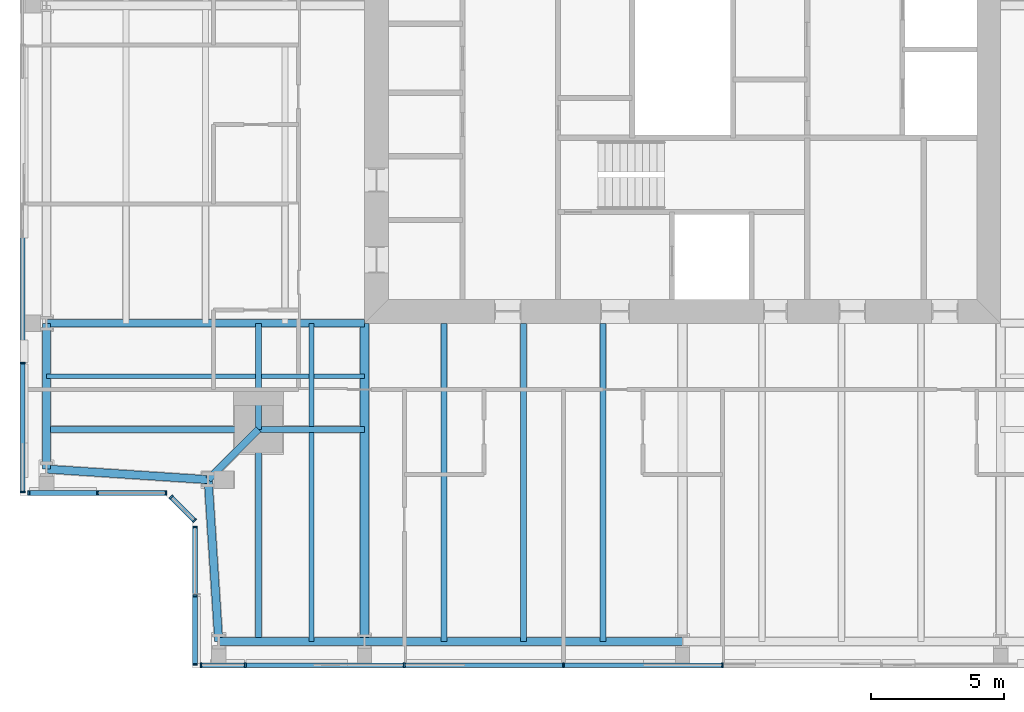
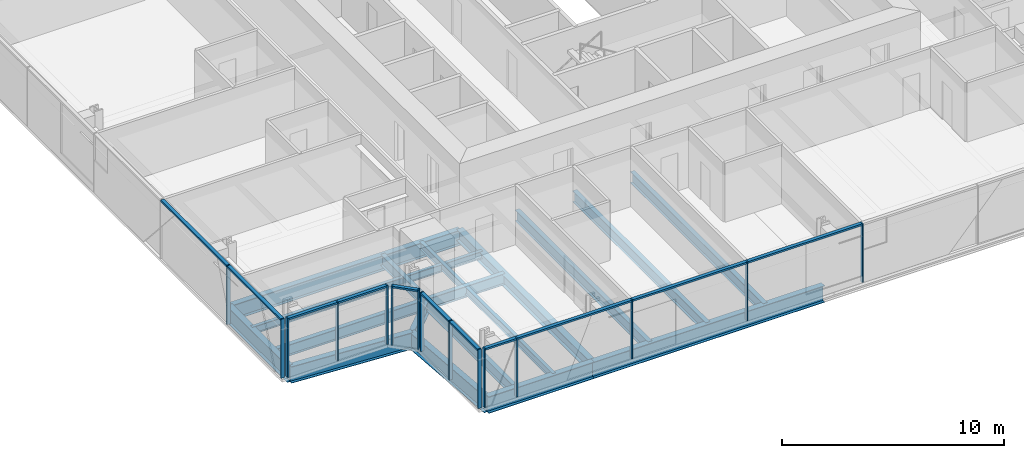
# One storey, part 2 of 20: 26 members, 20 beams, 5 elements without a shape of their own.
"""IFC4 building model written with IfcOpenShell, lengths in metres."""

from ifc_helpers import new_model, si_unit, direction, frame, origin, origin_2d, place, context, subcontext, project, spatial, rectangle, i_section, extrude, material, material_profile, profile_set, type_object, element, aggregate, save


model = new_model("IFC4")

# Units and contexts
model_context = context("Model", 3, precision=1e-05, world=origin(), true_north=direction((0.0, 1.0)))
body_context = subcontext(model_context, "Body", "Model", "MODEL_VIEW")
ifc_project = project(units=[si_unit("LENGTHUNIT", "METRE"), si_unit("AREAUNIT", "SQUARE_METRE"), si_unit("VOLUMEUNIT", "CUBIC_METRE"), si_unit("PLANEANGLEUNIT", "RADIAN"), si_unit("MASSUNIT", "GRAM", prefix="KILO")], contexts=[model_context])

# Site, building, storey
site_placement = place(None, origin())
site = spatial("IfcSite", under=ifc_project, at=site_placement, CompositionType="ELEMENT")
building_placement = place(site_placement, origin())
building = spatial("IfcBuilding", under=site, at=building_placement, Name="Fenwick Lantern Interchange", CompositionType="ELEMENT")
storey_placement = place(building_placement, frame((0.0, 0.0, 286.60009765625)))
storey = spatial("IfcBuildingStorey", under=building, at=storey_placement, Name="L69", CompositionType="ELEMENT", Elevation=286.60009765625)

# Beams
ifc_material_1 = material(Name="Steel ASTM A992 Grade 50", Category="steel")
ifc_material_profile_1 = material_profile(ifc_material_1, i_section(OverallWidth=0.3046875, OverallDepth=0.911865234375, WebThickness=0.015869140625, FlangeThickness=0.02392578125, at=origin_2d()), Name="W36X150")
ifc_profile_set_1 = profile_set([ifc_material_profile_1], Name="Steel ASTM A992 Grade 50")
beam_type_1 = type_object("IfcBeamType", Name="EDGE BEAM W36X150", PredefinedType="SPANDREL", material=ifc_profile_set_1)
beam_1_placement = place(storey_placement, frame((7.5, 1.0, -0.60595703125), z_axis=(1.0, 0.0, 0.0), x_axis=(0.0, 1.0, 0.0)))
element("IfcBeam", 1, at=beam_1_placement, inside=storey, type_object=beam_type_1, Name="L69/FR/S/EB1", PredefinedType="SPANDREL", context=body_context, shape_type="SweptSolid", body=[
    extrude(i_section(OverallWidth=0.3046875, OverallDepth=0.911865234375, WebThickness=0.015869140625, FlangeThickness=0.02392578125, at=origin_2d()), origin(), (0.0, 0.0, 1.0), 5.5),
])
beam_2_placement = place(storey_placement, frame((13.0, 1.0, -0.60595703125), z_axis=(1.0, 0.0, 0.0), x_axis=(0.0, 1.0, 0.0)))
element("IfcBeam", 2, at=beam_2_placement, inside=storey, type_object=beam_type_1, Name="L69/FR/S/EB2", PredefinedType="SPANDREL", context=body_context, shape_type="SweptSolid", body=[
    extrude(i_section(OverallWidth=0.3046875, OverallDepth=0.911865234375, WebThickness=0.015869140625, FlangeThickness=0.02392578125, at=origin_2d()), origin(), (0.0, 0.0, 1.0), 12.0),
])
beam_3_placement = place(storey_placement, frame((1.0, 13.0, -0.60595703125), z_axis=(0.0, -1.0, 0.0), x_axis=(1.0, 0.0, 0.0)))
element("IfcBeam", 3, at=beam_3_placement, inside=storey, type_object=beam_type_1, Name="L69/FR/W/EB4", PredefinedType="SPANDREL", context=body_context, shape_type="SweptSolid", body=[
    extrude(i_section(OverallWidth=0.3046875, OverallDepth=0.911865234375, WebThickness=0.015869140625, FlangeThickness=0.02392578125, at=origin_2d()), origin(), (0.0, 0.0, 1.0), 5.5),
])
for number, where, z_axis, x_axis, name in (
    (4, (1.0, 7.5, -0.60595703125), (0.997858060337, -0.065416293237, 0.0), (0.065416293237, 0.997858060337, 0.0), "L69/FR/W/EBR1"),
    (5, (7.10009765625, 7.10009765625, -0.60595703125), (0.065416293237, -0.997858060337, 0.0), (0.997858060337, 0.065416293237, 0.0), "L69/FR/W/EBR2"),
):
    element("IfcBeam", number, at=place(storey_placement, frame(where, z_axis=z_axis, x_axis=x_axis)), inside=storey, type_object=beam_type_1, Name=name, PredefinedType="SPANDREL", context=body_context, shape_type="SweptSolid", body=[
        extrude(i_section(OverallWidth=0.3046875, OverallDepth=0.911865234375, WebThickness=0.015869140625, FlangeThickness=0.02392578125, at=origin_2d()), origin(), (0.0, 0.0, 1.0), 6.11328125),
    ])
ifc_material_profile_2 = material_profile(ifc_material_1, i_section(OverallWidth=0.22900390625, OverallDepth=0.612060546875, WebThickness=0.011962890625, FlangeThickness=0.01953125, at=origin_2d()), Name="W24X84")
ifc_profile_set_2 = profile_set([ifc_material_profile_2], Name="Steel ASTM A992 Grade 50")
beam_type_2 = type_object("IfcBeamType", Name="FLOOR BEAM W24X84", PredefinedType="BEAM", material=ifc_profile_set_2)
for number, where, z_axis, x_axis, name in (
    (6, (16.0, 1.0, -0.4560546875), (0.0, 1.0, 0.0), (-1.0, 0.0, 0.0), "L69/FR/S/R02"),
    (7, (19.0, 1.0, -0.4560546875), (0.0, 1.0, 0.0), (-1.0, 0.0, 0.0), "L69/FR/S/R03"),
    (8, (22.0, 1.0, -0.4560546875), (0.0, 1.0, 0.0), (-1.0, 0.0, 0.0), "L69/FR/S/R04"),
):
    element("IfcBeam", number, at=place(storey_placement, frame(where, z_axis=z_axis, x_axis=x_axis)), inside=storey, type_object=beam_type_2, Name=name, PredefinedType="BEAM", context=body_context, shape_type="SweptSolid", body=[
        extrude(i_section(OverallWidth=0.22900390625, OverallDepth=0.612060546875, WebThickness=0.011962890625, FlangeThickness=0.01953125, at=origin_2d()), origin(), (0.0, 0.0, 1.0), 12.0),
    ])

# Curtain wall, members
ifc_material_2 = material(Name="Aluminium curtain wall frame", Category="aluminium")
curtain_wall_type = type_object("IfcCurtainWallType", Name="HOTEL CURTAIN WALL", PredefinedType="USERDEFINED", material=ifc_material_2)
curtain_wall_1_placement = place(storey_placement, origin())
curtain_wall_1 = element("IfcCurtainWall", 9, at=curtain_wall_1_placement, inside=storey, type_object=curtain_wall_type, Name="Hotel curtain wall 01", ObjectType="HOTEL CURTAIN WALL", PredefinedType="USERDEFINED")
ifc_material_3 = material(Name="Aluminium extrusion", Category="aluminium")
ifc_material_profile_3 = material_profile(ifc_material_3, rectangle(XDim=0.179931640625, YDim=0.06005859375, at=origin_2d()), Name="HOTEL CURTAIN WALL MULLION 60 X 180")
ifc_profile_set_3 = profile_set([ifc_material_profile_3], Name="Aluminium extrusion")
member_type_1 = type_object("IfcMemberType", Name="HOTEL CURTAIN WALL MULLION 60 X 180", PredefinedType="MULLION", material=ifc_profile_set_3)
member_1_placement = place(storey_placement, frame((6.830078125, 0.10009765625, 0.0), z_axis=(0.0, 0.0, 1.0), x_axis=(0.0, 1.0, 0.0)))
member_1 = element("IfcMember", 10, at=member_1_placement, type_object=member_type_1, Name="L69/CW/01/M00", PredefinedType="MULLION", context=body_context, shape_type="SweptSolid", body=[
    extrude(rectangle(XDim=0.179931640625, YDim=0.06005859375, at=origin_2d()), origin(), (0.0, 0.0, 1.0), 3.25),
])
member_2_placement = place(storey_placement, frame((8.5, 0.10009765625, 0.0), z_axis=(0.0, 0.0, 1.0), x_axis=(0.0, 1.0, 0.0)))
member_2 = element("IfcMember", 11, at=member_2_placement, type_object=member_type_1, Name="L69/CW/01/M01", PredefinedType="MULLION", context=body_context, shape_type="SweptSolid", body=[
    extrude(rectangle(XDim=0.179931640625, YDim=0.06005859375, at=origin_2d()), origin(), (0.0, 0.0, 1.0), 3.25),
])
member_3_placement = place(storey_placement, frame((14.5, 0.10009765625, 0.0), z_axis=(0.0, 0.0, 1.0), x_axis=(0.0, 1.0, 0.0)))
member_3 = element("IfcMember", 12, at=member_3_placement, type_object=member_type_1, Name="L69/CW/01/M02", PredefinedType="MULLION", context=body_context, shape_type="SweptSolid", body=[
    extrude(rectangle(XDim=0.179931640625, YDim=0.06005859375, at=origin_2d()), origin(), (0.0, 0.0, 1.0), 3.25),
])
member_4_placement = place(storey_placement, frame((20.5, 0.10009765625, 0.0), z_axis=(0.0, 0.0, 1.0), x_axis=(0.0, 1.0, 0.0)))
member_4 = element("IfcMember", 13, at=member_4_placement, type_object=member_type_1, Name="L69/CW/01/M03", PredefinedType="MULLION", context=body_context, shape_type="SweptSolid", body=[
    extrude(rectangle(XDim=0.179931640625, YDim=0.06005859375, at=origin_2d()), origin(), (0.0, 0.0, 1.0), 3.25),
])
member_5_placement = place(storey_placement, frame((26.5, 0.10009765625, 0.0), z_axis=(0.0, 0.0, 1.0), x_axis=(0.0, 1.0, 0.0)))
member_5 = element("IfcMember", 14, at=member_5_placement, type_object=member_type_1, Name="L69/CW/01/M04", PredefinedType="MULLION", context=body_context, shape_type="SweptSolid", body=[
    extrude(rectangle(XDim=0.179931640625, YDim=0.06005859375, at=origin_2d()), origin(), (0.0, 0.0, 1.0), 3.25),
])

curtain_wall_2_placement = place(storey_placement, origin())
curtain_wall_2 = element("IfcCurtainWall", 15, at=curtain_wall_2_placement, inside=storey, type_object=curtain_wall_type, Name="Hotel curtain wall 13", ObjectType="HOTEL CURTAIN WALL", PredefinedType="USERDEFINED")
member_6_placement = place(storey_placement, frame((0.10009765625, 11.5, 0.0), z_axis=(0.0, 0.0, 1.0), x_axis=(1.0, 0.0, 0.0)))
member_6 = element("IfcMember", 16, at=member_6_placement, type_object=member_type_1, Name="L69/CW/13/M06", PredefinedType="MULLION", context=body_context, shape_type="SweptSolid", body=[
    extrude(rectangle(XDim=0.179931640625, YDim=0.06005859375, at=origin_2d()), origin(), (0.0, 0.0, 1.0), 3.25),
])
member_7_placement = place(storey_placement, frame((0.10009765625, 6.6298828125, 0.0), z_axis=(0.0, 0.0, 1.0), x_axis=(1.0, 0.0, 0.0)))
member_7 = element("IfcMember", 17, at=member_7_placement, type_object=member_type_1, Name="L69/CW/13/M07", PredefinedType="MULLION", context=body_context, shape_type="SweptSolid", body=[
    extrude(rectangle(XDim=0.179931640625, YDim=0.06005859375, at=origin_2d()), origin(), (0.0, 0.0, 1.0), 3.25),
])

curtain_wall_3_placement = place(storey_placement, origin())
curtain_wall_3 = element("IfcCurtainWall", 18, at=curtain_wall_3_placement, inside=storey, type_object=curtain_wall_type, Name="Hotel curtain wall 14", ObjectType="HOTEL CURTAIN WALL", PredefinedType="USERDEFINED")
member_8_placement = place(storey_placement, frame((0.330078125, 6.60009765625, 0.0), z_axis=(0.0, 0.0, 1.0), x_axis=(0.0, 1.0, 0.0)))
member_8 = element("IfcMember", 19, at=member_8_placement, type_object=member_type_1, Name="L69/CW/14/M00", PredefinedType="MULLION", context=body_context, shape_type="SweptSolid", body=[
    extrude(rectangle(XDim=0.179931640625, YDim=0.06005859375, at=origin_2d()), origin(), (0.0, 0.0, 1.0), 3.25),
])
member_9_placement = place(storey_placement, frame((2.920654296875, 6.60009765625, 0.0), z_axis=(0.0, 0.0, 1.0), x_axis=(0.0, 1.0, 0.0)))
member_9 = element("IfcMember", 20, at=member_9_placement, type_object=member_type_1, Name="L69/CW/14/M01", PredefinedType="MULLION", context=body_context, shape_type="SweptSolid", body=[
    extrude(rectangle(XDim=0.179931640625, YDim=0.06005859375, at=origin_2d()), origin(), (0.0, 0.0, 1.0), 3.25),
])
member_10_placement = place(storey_placement, frame((5.511474609375, 6.60009765625, 0.0), z_axis=(0.0, 0.0, 1.0), x_axis=(0.0, 1.0, 0.0)))
member_10 = element("IfcMember", 21, at=member_10_placement, type_object=member_type_1, Name="L69/CW/14/M02", PredefinedType="MULLION", context=body_context, shape_type="SweptSolid", body=[
    extrude(rectangle(XDim=0.179931640625, YDim=0.06005859375, at=origin_2d()), origin(), (0.0, 0.0, 1.0), 3.25),
])

curtain_wall_4_placement = place(storey_placement, origin())
curtain_wall_4 = element("IfcCurtainWall", 22, at=curtain_wall_4_placement, inside=storey, type_object=curtain_wall_type, Name="Hotel curtain wall 15", ObjectType="HOTEL CURTAIN WALL", PredefinedType="USERDEFINED")
member_11_placement = place(storey_placement, frame((5.7041015625, 6.437255859375, 0.0), z_axis=(0.0, 0.0, 1.0), x_axis=(0.707106781187, 0.707106781187, 0.0)))
member_11 = element("IfcMember", 23, at=member_11_placement, type_object=member_type_1, Name="L69/CW/15/M00", PredefinedType="MULLION", context=body_context, shape_type="SweptSolid", body=[
    extrude(rectangle(XDim=0.179931640625, YDim=0.06005859375, at=origin_2d()), origin(), (0.0, 0.0, 1.0), 3.25),
])
member_12_placement = place(storey_placement, frame((6.578857421875, 5.562744140625, 0.0), z_axis=(0.0, 0.0, 1.0), x_axis=(0.707106781187, 0.707106781187, 0.0)))
member_12 = element("IfcMember", 24, at=member_12_placement, type_object=member_type_1, Name="L69/CW/15/M01", PredefinedType="MULLION", context=body_context, shape_type="SweptSolid", body=[
    extrude(rectangle(XDim=0.179931640625, YDim=0.06005859375, at=origin_2d()), origin(), (0.0, 0.0, 1.0), 3.25),
])

curtain_wall_5_placement = place(storey_placement, origin())
curtain_wall_5 = element("IfcCurtainWall", 25, at=curtain_wall_5_placement, inside=storey, type_object=curtain_wall_type, Name="Hotel curtain wall 16", ObjectType="HOTEL CURTAIN WALL", PredefinedType="USERDEFINED")
member_13_placement = place(storey_placement, frame((6.60009765625, 5.3115234375, 0.0), z_axis=(0.0, 0.0, 1.0), x_axis=(1.0, 0.0, 0.0)))
member_13 = element("IfcMember", 26, at=member_13_placement, type_object=member_type_1, Name="L69/CW/16/M00", PredefinedType="MULLION", context=body_context, shape_type="SweptSolid", body=[
    extrude(rectangle(XDim=0.179931640625, YDim=0.06005859375, at=origin_2d()), origin(), (0.0, 0.0, 1.0), 3.25),
])
member_14_placement = place(storey_placement, frame((6.60009765625, 2.720703125, 0.0), z_axis=(0.0, 0.0, 1.0), x_axis=(1.0, 0.0, 0.0)))
member_14 = element("IfcMember", 27, at=member_14_placement, type_object=member_type_1, Name="L69/CW/16/M01", PredefinedType="MULLION", context=body_context, shape_type="SweptSolid", body=[
    extrude(rectangle(XDim=0.179931640625, YDim=0.06005859375, at=origin_2d()), origin(), (0.0, 0.0, 1.0), 3.25),
])
member_15_placement = place(storey_placement, frame((6.60009765625, 0.1298828125, 0.0), z_axis=(0.0, 0.0, 1.0), x_axis=(1.0, 0.0, 0.0)))
member_15 = element("IfcMember", 28, at=member_15_placement, type_object=member_type_1, Name="L69/CW/16/M02", PredefinedType="MULLION", context=body_context, shape_type="SweptSolid", body=[
    extrude(rectangle(XDim=0.179931640625, YDim=0.06005859375, at=origin_2d()), origin(), (0.0, 0.0, 1.0), 3.25),
])

# Member
ifc_material_profile_4 = material_profile(ifc_material_3, rectangle(XDim=0.179931640625, YDim=0.10009765625, at=origin_2d()), Name="HOTEL CURTAIN WALL TRANSOM 100 X 180")
ifc_profile_set_4 = profile_set([ifc_material_profile_4], Name="Aluminium extrusion")
member_type_2 = type_object("IfcMemberType", Name="HOTEL CURTAIN WALL TRANSOM 100 X 180", PredefinedType="MULLION", material=ifc_profile_set_4)
member_16_placement = place(storey_placement, frame((6.860107421875, 0.10009765625, 3.199951171875), z_axis=(1.0, 0.0, 0.0), x_axis=(0.0, 1.0, 0.0)))
member_16 = element("IfcMember", 29, at=member_16_placement, type_object=member_type_2, Name="L69/CW/01/T00", PredefinedType="MULLION", context=body_context, shape_type="SweptSolid", body=[
    extrude(rectangle(XDim=0.179931640625, YDim=0.10009765625, at=origin_2d()), origin(), (0.0, 0.0, 1.0), 1.60986328125),
])

member_17_placement = place(storey_placement, frame((8.530029296875, 0.10009765625, 3.199951171875), z_axis=(1.0, 0.0, 0.0), x_axis=(0.0, 1.0, 0.0)))
member_17 = element("IfcMember", 30, at=member_17_placement, type_object=member_type_2, Name="L69/CW/01/T01", PredefinedType="MULLION", context=body_context, shape_type="SweptSolid", body=[
    extrude(rectangle(XDim=0.179931640625, YDim=0.10009765625, at=origin_2d()), origin(), (0.0, 0.0, 1.0), 5.93994140625),
])

member_18_placement = place(storey_placement, frame((14.530029296875, 0.10009765625, 3.199951171875), z_axis=(1.0, 0.0, 0.0), x_axis=(0.0, 1.0, 0.0)))
member_18 = element("IfcMember", 31, at=member_18_placement, type_object=member_type_2, Name="L69/CW/01/T02", PredefinedType="MULLION", context=body_context, shape_type="SweptSolid", body=[
    extrude(rectangle(XDim=0.179931640625, YDim=0.10009765625, at=origin_2d()), origin(), (0.0, 0.0, 1.0), 5.93994140625),
])

member_19_placement = place(storey_placement, frame((20.530029296875, 0.10009765625, 3.199951171875), z_axis=(1.0, 0.0, 0.0), x_axis=(0.0, 1.0, 0.0)))
member_19 = element("IfcMember", 32, at=member_19_placement, type_object=member_type_2, Name="L69/CW/01/T03", PredefinedType="MULLION", context=body_context, shape_type="SweptSolid", body=[
    extrude(rectangle(XDim=0.179931640625, YDim=0.10009765625, at=origin_2d()), origin(), (0.0, 0.0, 1.0), 5.93994140625),
])

aggregate(curtain_wall_1, [member_1, member_2, member_3, member_4, member_5, member_16, member_17, member_18, member_19])

member_20_placement = place(storey_placement, frame((0.10009765625, 17.469970703125, 3.199951171875), z_axis=(0.0, -1.0, 0.0), x_axis=(1.0, 0.0, 0.0)))
member_20 = element("IfcMember", 33, at=member_20_placement, type_object=member_type_2, Name="L69/CW/13/T05", PredefinedType="MULLION", context=body_context, shape_type="SweptSolid", body=[
    extrude(rectangle(XDim=0.179931640625, YDim=0.10009765625, at=origin_2d()), origin(), (0.0, 0.0, 1.0), 5.93994140625),
])

member_21_placement = place(storey_placement, frame((0.10009765625, 11.469970703125, 3.199951171875), z_axis=(0.0, -1.0, 0.0), x_axis=(1.0, 0.0, 0.0)))
member_21 = element("IfcMember", 34, at=member_21_placement, type_object=member_type_2, Name="L69/CW/13/T06", PredefinedType="MULLION", context=body_context, shape_type="SweptSolid", body=[
    extrude(rectangle(XDim=0.179931640625, YDim=0.10009765625, at=origin_2d()), origin(), (0.0, 0.0, 1.0), 4.81005859375),
])

aggregate(curtain_wall_2, [member_6, member_7, member_20, member_21])

member_22_placement = place(storey_placement, frame((0.360107421875, 6.60009765625, 3.199951171875), z_axis=(1.0, 0.0, 0.0), x_axis=(0.0, 1.0, 0.0)))
member_22 = element("IfcMember", 35, at=member_22_placement, type_object=member_type_2, Name="L69/CW/14/T00", PredefinedType="MULLION", context=body_context, shape_type="SweptSolid", body=[
    extrude(rectangle(XDim=0.179931640625, YDim=0.10009765625, at=origin_2d()), origin(), (0.0, 0.0, 1.0), 2.530517578125),
])

member_23_placement = place(storey_placement, frame((2.95068359375, 6.60009765625, 3.199951171875), z_axis=(1.0, 0.0, 0.0), x_axis=(0.0, 1.0, 0.0)))
member_23 = element("IfcMember", 36, at=member_23_placement, type_object=member_type_2, Name="L69/CW/14/T01", PredefinedType="MULLION", context=body_context, shape_type="SweptSolid", body=[
    extrude(rectangle(XDim=0.179931640625, YDim=0.10009765625, at=origin_2d()), origin(), (0.0, 0.0, 1.0), 2.53076171875),
])

aggregate(curtain_wall_3, [member_8, member_9, member_10, member_22, member_23])

member_24_placement = place(storey_placement, frame((5.725341796875, 6.416259765625, 3.199951171875), z_axis=(0.707003077033, -0.707210470133, 0.0), x_axis=(0.707210470133, 0.707003077033, 0.0)))
member_24 = element("IfcMember", 37, at=member_24_placement, type_object=member_type_2, Name="L69/CW/15/T00", PredefinedType="MULLION", context=body_context, shape_type="SweptSolid", body=[
    extrude(rectangle(XDim=0.179931640625, YDim=0.10009765625, at=origin_2d()), origin(), (0.0, 0.0, 1.0), 1.17724609375),
])

aggregate(curtain_wall_4, [member_11, member_12, member_24])

member_25_placement = place(storey_placement, frame((6.60009765625, 5.281494140625, 3.199951171875), z_axis=(0.0, -1.0, 0.0), x_axis=(1.0, 0.0, 0.0)))
member_25 = element("IfcMember", 38, at=member_25_placement, type_object=member_type_2, Name="L69/CW/16/T00", PredefinedType="MULLION", context=body_context, shape_type="SweptSolid", body=[
    extrude(rectangle(XDim=0.179931640625, YDim=0.10009765625, at=origin_2d()), origin(), (0.0, 0.0, 1.0), 2.53076171875),
])

member_26_placement = place(storey_placement, frame((6.60009765625, 2.690673828125, 3.199951171875), z_axis=(0.0, -1.0, 0.0), x_axis=(1.0, 0.0, 0.0)))
member_26 = element("IfcMember", 39, at=member_26_placement, type_object=member_type_2, Name="L69/CW/16/T01", PredefinedType="MULLION", context=body_context, shape_type="SweptSolid", body=[
    extrude(rectangle(XDim=0.179931640625, YDim=0.10009765625, at=origin_2d()), origin(), (0.0, 0.0, 1.0), 2.53076171875),
])

aggregate(curtain_wall_5, [member_13, member_14, member_15, member_25, member_26])

# Beams
ifc_material_profile_5 = material_profile(ifc_material_1, i_section(OverallWidth=0.177734375, OverallDepth=0.406494140625, WebThickness=0.0078125, FlangeThickness=0.012939453125, at=origin_2d()), Name="W16X40")
ifc_profile_set_5 = profile_set([ifc_material_profile_5], Name="Steel ASTM A992 Grade 50")
beam_type_3 = type_object("IfcBeamType", Name="INFILL BEAM W16X40", PredefinedType="JOIST", material=ifc_profile_set_5)
beam_4_placement = place(storey_placement, frame((11.0, 1.0, -0.353271484375), z_axis=(0.0, 1.0, 0.0), x_axis=(-1.0, 0.0, 0.0)))
element("IfcBeam", 40, at=beam_4_placement, inside=storey, type_object=beam_type_3, Name="L69/FR/S/J1", PredefinedType="JOIST", context=body_context, shape_type="SweptSolid", body=[
    extrude(i_section(OverallWidth=0.177734375, OverallDepth=0.406494140625, WebThickness=0.0078125, FlangeThickness=0.012939453125, at=origin_2d()), origin(), (0.0, 0.0, 1.0), 7.885498046875),
])
beam_5_placement = place(storey_placement, frame((11.0, 9.114501953125, -0.353271484375), z_axis=(0.0, 1.0, 0.0), x_axis=(-1.0, 0.0, 0.0)))
element("IfcBeam", 41, at=beam_5_placement, inside=storey, type_object=beam_type_3, Name="L69/FR/S/J2", PredefinedType="JOIST", context=body_context, shape_type="SweptSolid", body=[
    extrude(i_section(OverallWidth=0.177734375, OverallDepth=0.406494140625, WebThickness=0.0078125, FlangeThickness=0.012939453125, at=origin_2d()), origin(), (0.0, 0.0, 1.0), 3.885498046875),
])
beam_6_placement = place(storey_placement, frame((1.0, 11.0, -0.353271484375), z_axis=(1.0, 0.0, 0.0), x_axis=(0.0, 1.0, 0.0)))
element("IfcBeam", 42, at=beam_6_placement, inside=storey, type_object=beam_type_3, Name="L69/FR/S/J3", PredefinedType="JOIST", context=body_context, shape_type="SweptSolid", body=[
    extrude(i_section(OverallWidth=0.177734375, OverallDepth=0.406494140625, WebThickness=0.0078125, FlangeThickness=0.012939453125, at=origin_2d()), origin(), (0.0, 0.0, 1.0), 7.885498046875),
])
beam_7_placement = place(storey_placement, frame((9.114501953125, 11.0, -0.353271484375), z_axis=(1.0, 0.0, 0.0), x_axis=(0.0, 1.0, 0.0)))
element("IfcBeam", 43, at=beam_7_placement, inside=storey, type_object=beam_type_3, Name="L69/FR/S/J4", PredefinedType="JOIST", context=body_context, shape_type="SweptSolid", body=[
    extrude(i_section(OverallWidth=0.177734375, OverallDepth=0.406494140625, WebThickness=0.0078125, FlangeThickness=0.012939453125, at=origin_2d()), origin(), (0.0, 0.0, 1.0), 1.796630859375),
])
beam_8_placement = place(storey_placement, frame((11.0888671875, 11.0, -0.353271484375), z_axis=(1.0, 0.0, 0.0), x_axis=(0.0, 1.0, 0.0)))
element("IfcBeam", 44, at=beam_8_placement, inside=storey, type_object=beam_type_3, Name="L69/FR/S/J5", PredefinedType="JOIST", context=body_context, shape_type="SweptSolid", body=[
    extrude(i_section(OverallWidth=0.177734375, OverallDepth=0.406494140625, WebThickness=0.0078125, FlangeThickness=0.012939453125, at=origin_2d()), origin(), (0.0, 0.0, 1.0), 1.9111328125),
])
ifc_material_profile_6 = material_profile(ifc_material_1, i_section(OverallWidth=0.22900390625, OverallDepth=0.612060546875, WebThickness=0.011962890625, FlangeThickness=0.01953125, at=origin_2d()), Name="W24X84")
ifc_profile_set_6 = profile_set([ifc_material_profile_6], Name="Steel ASTM A992 Grade 50")
beam_type_4 = type_object("IfcBeamType", Name="MEGA COLUMN BEAM W24X84", PredefinedType="BEAM", material=ifc_profile_set_6)
for number, where, z_axis, x_axis, name in (
    (45, (9.0, 9.0, -0.4560546875), (0.0, -1.0, 0.0), (1.0, 0.0, 0.0), "L69/FR/S/MB1"),
    (46, (9.0, 9.0, -0.4560546875), (-1.0, 0.0, 0.0), (0.0, -1.0, 0.0), "L69/FR/S/MB2"),
):
    element("IfcBeam", number, at=place(storey_placement, frame(where, z_axis=z_axis, x_axis=x_axis)), inside=storey, type_object=beam_type_4, Name=name, PredefinedType="BEAM", context=body_context, shape_type="SweptSolid", body=[
        extrude(i_section(OverallWidth=0.22900390625, OverallDepth=0.612060546875, WebThickness=0.011962890625, FlangeThickness=0.01953125, at=origin_2d()), origin(), (0.0, 0.0, 1.0), 8.0),
    ])
for number, where, z_axis, x_axis, name in (
    (47, (9.0, 9.0, -0.4560546875), (1.0, 0.0, 0.0), (0.0, 1.0, 0.0), "L69/FR/S/MB3"),
    (48, (9.0, 9.0, -0.4560546875), (0.0, 1.0, 0.0), (-1.0, 0.0, 0.0), "L69/FR/S/MB4"),
):
    element("IfcBeam", number, at=place(storey_placement, frame(where, z_axis=z_axis, x_axis=x_axis)), inside=storey, type_object=beam_type_4, Name=name, PredefinedType="BEAM", context=body_context, shape_type="SweptSolid", body=[
        extrude(i_section(OverallWidth=0.22900390625, OverallDepth=0.612060546875, WebThickness=0.011962890625, FlangeThickness=0.01953125, at=origin_2d()), origin(), (0.0, 0.0, 1.0), 4.0),
    ])
ifc_material_profile_7 = material_profile(ifc_material_1, i_section(OverallWidth=0.32763671875, OverallDepth=0.622314453125, WebThickness=0.015380859375, FlangeThickness=0.0244140625, at=origin_2d()), Name="W24X131")
ifc_profile_set_7 = profile_set([ifc_material_profile_7], Name="Steel ASTM A992 Grade 50")
beam_type_5 = type_object("IfcBeamType", Name="MOMENT-CONNECTED GIRDER W24X131", PredefinedType="BEAM", material=ifc_profile_set_7)
beam_9_placement = place(storey_placement, frame((13.0, 1.0, -0.461181640625), z_axis=(0.0, 1.0, 0.0), x_axis=(-1.0, 0.0, 0.0)))
element("IfcBeam", 49, at=beam_9_placement, inside=storey, type_object=beam_type_5, Name="L69/FR/S/R01", PredefinedType="BEAM", context=body_context, shape_type="SweptSolid", body=[
    extrude(i_section(OverallWidth=0.32763671875, OverallDepth=0.622314453125, WebThickness=0.015380859375, FlangeThickness=0.0244140625, at=origin_2d()), origin(), (0.0, 0.0, 1.0), 12.0),
])
ifc_material_profile_8 = material_profile(ifc_material_1, i_section(OverallWidth=0.2919921875, OverallDepth=0.845703125, WebThickness=0.015380859375, FlangeThickness=0.0244140625, at=origin_2d()), Name="W33X141")
ifc_profile_set_8 = profile_set([ifc_material_profile_8], Name="Steel ASTM A992 Grade 50")
beam_type_6 = type_object("IfcBeamType", Name="MOMENT-CONNECTED GIRDER W33X141", PredefinedType="BEAM", material=ifc_profile_set_8)
beam_10_placement = place(storey_placement, frame((1.0, 13.0, -0.572998046875), z_axis=(1.0, 0.0, 0.0), x_axis=(0.0, 1.0, 0.0)))
element("IfcBeam", 50, at=beam_10_placement, inside=storey, type_object=beam_type_6, Name="L69/FR/W/R03", PredefinedType="BEAM", context=body_context, shape_type="SweptSolid", body=[
    extrude(i_section(OverallWidth=0.2919921875, OverallDepth=0.845703125, WebThickness=0.015380859375, FlangeThickness=0.0244140625, at=origin_2d()), origin(), (0.0, 0.0, 1.0), 12.0),
])
ifc_material_profile_9 = material_profile(ifc_material_1, i_section(OverallWidth=0.2666015625, OverallDepth=0.7568359375, WebThickness=0.013916015625, FlangeThickness=0.019287109375, at=origin_2d()), Name="W30X108")
ifc_profile_set_9 = profile_set([ifc_material_profile_9], Name="Steel ASTM A992 Grade 50")
beam_type_7 = type_object("IfcBeamType", Name="NOTCH BEAM W30X108", PredefinedType="BEAM", material=ifc_profile_set_9)
beam_11_placement = place(storey_placement, frame((9.0, 9.0, -0.528564453125), z_axis=(-0.707106781187, -0.707106781187, 0.0), x_axis=(0.707106781187, -0.707106781187, 0.0)))
element("IfcBeam", 51, at=beam_11_placement, inside=storey, type_object=beam_type_7, Name="L69/FR/S/TG", PredefinedType="BEAM", context=body_context, shape_type="SweptSolid", body=[
    extrude(i_section(OverallWidth=0.2666015625, OverallDepth=0.7568359375, WebThickness=0.013916015625, FlangeThickness=0.019287109375, at=origin_2d()), origin(), (0.0, 0.0, 1.0), 2.686767578125),
])

save(model, "model.ifc")
